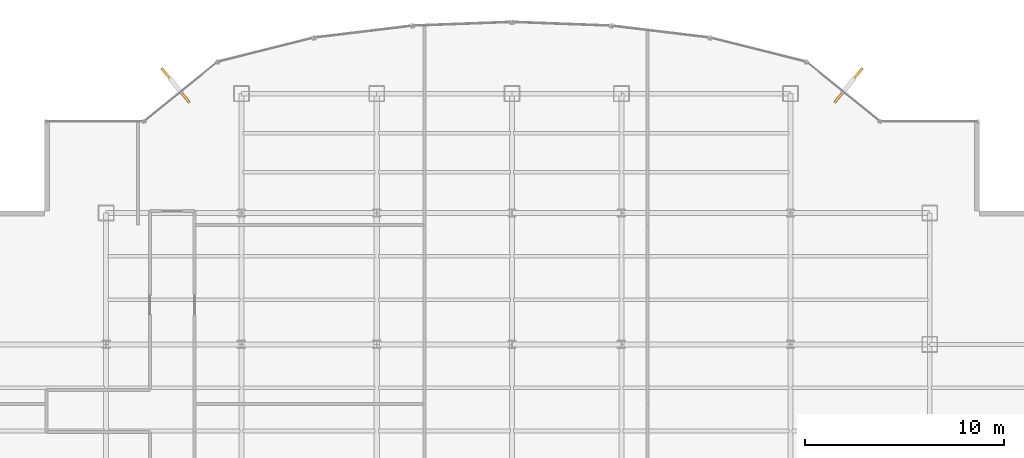
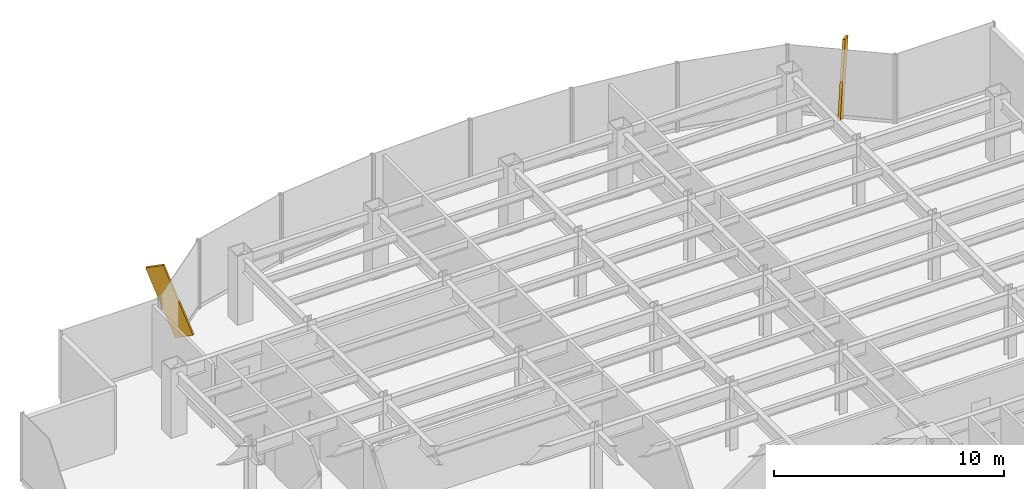
# One storey, part 25 of 26: 2 shading devices.
"""IFC4 building model written with IfcOpenShell, lengths in metres."""

from ifc_helpers import new_model, si_unit, derived_unit, direction, frame, origin, origin_2d, place, context, subcontext, project, spatial, rectangle, extrude, source, transform, mapped, material, type_object, element, save


model = new_model("IFC4")

# Units and contexts
model_context = context("Model", 3, precision=1e-05, world=origin(), true_north=direction((0.0, 1.0)))
body_context = subcontext(model_context, "Body", "Model", "MODEL_VIEW")
ifc_project = project(units=[si_unit("LENGTHUNIT", "METRE"), si_unit("AREAUNIT", "SQUARE_METRE"), si_unit("VOLUMEUNIT", "CUBIC_METRE"), si_unit("PLANEANGLEUNIT", "RADIAN"), si_unit("MASSUNIT", "GRAM", prefix="KILO"), derived_unit("THERMALTRANSMITTANCEUNIT", [(si_unit("POWERUNIT", "WATT"), 1), (si_unit("LENGTHUNIT", "METRE"), -2), (si_unit("THERMODYNAMICTEMPERATUREUNIT", "KELVIN"), -1)])], contexts=[model_context])

# Site, building, storey
site_placement = place(None, origin())
site = spatial("IfcSite", under=ifc_project, at=site_placement, CompositionType="ELEMENT")
building_placement = place(site_placement, origin())
building = spatial("IfcBuilding", under=site, at=building_placement, Name="Skarnbrae Concourse Arena and Tower", CompositionType="ELEMENT")
storey_placement = place(building_placement, frame((0.0, 0.0, 106.89990234375)))
storey = spatial("IfcBuildingStorey", under=building, at=storey_placement, Name="L26", CompositionType="ELEMENT", Elevation=106.89990234375)

# Shading devices
ifc_material = material(Name="Bronze anodised aluminium 6063-T6", Category="aluminium")
shading_device_type = type_object("IfcShadingDeviceType", Name="SHD-BRONZE-FIN-900", PredefinedType="USERDEFINED", material=ifc_material)
shared_shape = source(origin(), body_context, "Body", "SweptSolid", [
    extrude(rectangle(XDim=0.1201171875, YDim=0.89990234375, at=origin_2d()), origin(), (0.0, 0.0, 1.0), 3.64990234375),
])
for number, where, z_axis, x_axis, name in (
    (1, (44.4833984375, 40.28564453125, 0.13720703125), (0.239526668578, 0.294926759827, 0.925010908789), (0.776244501415, -0.630431974144, 0.0), "L26 Outward-leaning bronze shading fin 08"),
    (2, (11.5166015625, 40.28564453125, 0.13720703125), (-0.239526668578, 0.294926759827, 0.925010908789), (0.776244501415, 0.630431974144, 0.0), "L26 Outward-leaning bronze shading fin 15"),
):
    element("IfcShadingDevice", number, at=place(storey_placement, frame(where, z_axis=z_axis, x_axis=x_axis)), inside=storey, type_object=shading_device_type, Name=name, ObjectType="FIN", PredefinedType="USERDEFINED", context=body_context, shape_type="MappedRepresentation", body=[
        mapped(shared_shape, transform((0.0, 0.0, 0.0))),
    ])

save(model, "model.ifc")
